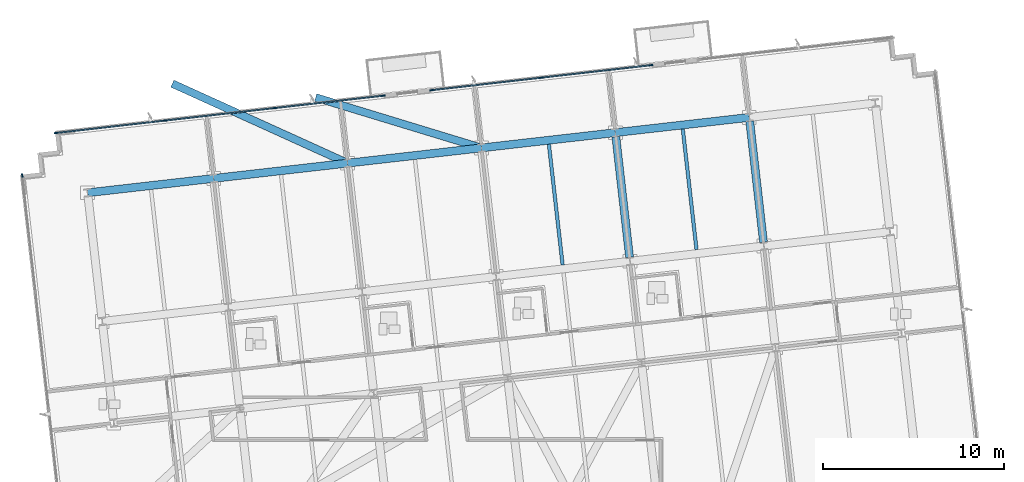
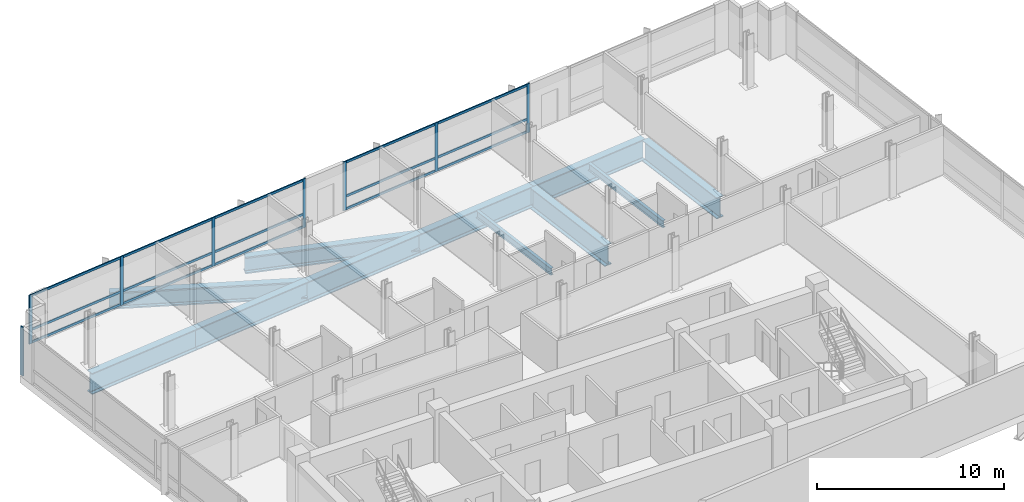
# One storey, part 5 of 15: 23 members, 11 beams, 3 elements without a shape of their own.
"""IFC4 building model written with IfcOpenShell, lengths in metres."""

from ifc_helpers import new_model, si_unit, direction, frame, origin, origin_2d, place, context, subcontext, project, spatial, rectangle, i_section, extrude, material, material_profile, profile_set, type_object, element, aggregate, save


model = new_model("IFC4")

# Units and contexts
model_context = context("Model", 3, precision=1e-05, world=origin(), true_north=direction((0.0, 1.0)))
body_context = subcontext(model_context, "Body", "Model", "MODEL_VIEW")
ifc_project = project(units=[si_unit("LENGTHUNIT", "METRE"), si_unit("AREAUNIT", "SQUARE_METRE"), si_unit("VOLUMEUNIT", "CUBIC_METRE"), si_unit("PLANEANGLEUNIT", "RADIAN"), si_unit("MASSUNIT", "GRAM", prefix="KILO")], contexts=[model_context])

# Site, building, storey
site_placement = place(None, origin())
site = spatial("IfcSite", under=ifc_project, at=site_placement, CompositionType="ELEMENT")
building_placement = place(site_placement, origin())
building = spatial("IfcBuilding", under=site, at=building_placement, Name="Solmavex Isthmus Hotel", CompositionType="ELEMENT")
storey_placement = place(building_placement, frame((0.0, 0.0, 191.699951171875)))
storey = spatial("IfcBuildingStorey", under=building, at=storey_placement, Name="L51", CompositionType="ELEMENT", Elevation=191.699951171875)

# Beams
ifc_material_1 = material(Name="Steel ASTM A992 Grade 50", Category="steel")
ifc_material_profile_1 = material_profile(ifc_material_1, i_section(OverallWidth=0.1904296875, OverallDepth=0.456787109375, WebThickness=0.009033203125, FlangeThickness=0.014404296875, FilletRadius=0.0126953125, at=origin_2d()), Name="W18X50")
ifc_profile_set_1 = profile_set([ifc_material_profile_1], Name="Steel ASTM A992 Grade 50")
beam_type_1 = type_object("IfcBeamType", Name="BM-BJ-W18X50", PredefinedType="JOIST", material=ifc_profile_set_1)
beam_1_placement = place(storey_placement, frame((6.9970703125, 10.23828125, -0.678466796875), z_axis=(-0.113197786533, 0.993572474017, 0.0), x_axis=(-0.993572474017, -0.113197786533, 0.0)))
element("IfcBeam", 1, at=beam_1_placement, inside=storey, type_object=beam_type_1, Name="Secondary Floor Joist L51-J13", PredefinedType="JOIST", context=body_context, shape_type="SweptSolid", body=[
    extrude(i_section(OverallWidth=0.1904296875, OverallDepth=0.456787109375, WebThickness=0.009033203125, FlangeThickness=0.014404296875, FilletRadius=0.0126953125, at=origin_2d()), origin(), (0.0, 0.0, 1.0), 6.7119140625),
])
beam_2_placement = place(storey_placement, frame((14.395263671875, 11.0810546875, -0.678466796875), z_axis=(-0.11319369562, 0.993572940086, 0.0), x_axis=(-0.993572940086, -0.11319369562, 0.0)))
element("IfcBeam", 2, at=beam_2_placement, inside=storey, type_object=beam_type_1, Name="Secondary Floor Joist L51-J17", PredefinedType="JOIST", context=body_context, shape_type="SweptSolid", body=[
    extrude(i_section(OverallWidth=0.1904296875, OverallDepth=0.456787109375, WebThickness=0.009033203125, FlangeThickness=0.014404296875, FilletRadius=0.0126953125, at=origin_2d()), origin(), (0.0, 0.0, 1.0), 6.712158203125),
])
ifc_material_2 = material(Name="Steel ASTM A913 Grade 65", Category="steel")
ifc_material_profile_2 = material_profile(ifc_material_2, i_section(OverallWidth=0.42431640625, OverallDepth=1.09228515625, WebThickness=0.04541015625, FlangeThickness=0.08203125, FilletRadius=0.030517578125, at=origin_2d()), Name="W40X593")
ifc_profile_set_2 = profile_set([ifc_material_profile_2], Name="Steel ASTM A913 Grade 65")
beam_type_2 = type_object("IfcBeamType", Name="BM-TB-W40X397", PredefinedType="BEAM", material=ifc_profile_set_2)
beam_3_placement = place(storey_placement, frame((-14.562744140625, 20.254150390625, -0.99609375), z_axis=(0.910588188586, -0.413314832553, 0.0), x_axis=(0.413314832553, 0.910588188586, 0.0)))
element("IfcBeam", 3, at=beam_3_placement, inside=storey, type_object=beam_type_2, Name="Core Outrigger Strut L50-OTN1", PredefinedType="BEAM", context=body_context, shape_type="SweptSolid", body=[
    extrude(i_section(OverallWidth=0.42431640625, OverallDepth=1.09228515625, WebThickness=0.04541015625, FlangeThickness=0.08203125, FilletRadius=0.030517578125, at=origin_2d()), origin(), (0.0, 0.0, 1.0), 10.628173828125),
])
beam_4_placement = place(storey_placement, frame((-6.643310546875, 19.49169921875, -0.99609375), z_axis=(0.956649473072, -0.291241799321, 0.0), x_axis=(0.291241799321, 0.956649473072, 0.0)))
element("IfcBeam", 4, at=beam_4_placement, inside=storey, type_object=beam_type_2, Name="Core Outrigger Strut L50-OTN2", PredefinedType="BEAM", context=body_context, shape_type="SweptSolid", body=[
    extrude(i_section(OverallWidth=0.42431640625, OverallDepth=1.09228515625, WebThickness=0.04541015625, FlangeThickness=0.08203125, FilletRadius=0.030517578125, at=origin_2d()), origin(), (0.0, 0.0, 1.0), 9.571533203125),
])
ifc_material_3 = material(Name="Steel ASTM A572 Grade 50", Category="steel")
ifc_material_profile_3 = material_profile(ifc_material_3, i_section(OverallWidth=0.43994140625, OverallDepth=1.3798828125, WebThickness=0.030029296875, FlangeThickness=0.054931640625, FilletRadius=0.030517578125, at=origin_2d()), Name="I1380X440")
ifc_profile_set_3 = profile_set([ifc_material_profile_3], Name="Steel ASTM A572 Grade 50")
beam_type_3 = type_object("IfcBeamType", Name="BM-TG-I1380", PredefinedType="BEAM", material=ifc_profile_set_3)
beam_5_placement = place(storey_placement, frame((-19.245849609375, 14.22509765625, -1.139892578125), z_axis=(0.99357359356, 0.113187959519, 0.0), x_axis=(-0.113187959519, 0.99357359356, 0.0)))
element("IfcBeam", 5, at=beam_5_placement, inside=storey, type_object=beam_type_3, Name="Outrigger Collector Girder L51-UG18", PredefinedType="BEAM", context=body_context, shape_type="SweptSolid", body=[
    extrude(i_section(OverallWidth=0.43994140625, OverallDepth=1.3798828125, WebThickness=0.030029296875, FlangeThickness=0.054931640625, FilletRadius=0.030517578125, at=origin_2d()), origin(), (0.0, 0.0, 1.0), 7.0078125),
])
beam_6_placement = place(storey_placement, frame((-12.282958984375, 15.018310546875, -1.139892578125), z_axis=(0.9935703463, 0.113216460607, 0.0), x_axis=(-0.113216460607, 0.9935703463, 0.0)))
element("IfcBeam", 6, at=beam_6_placement, inside=storey, type_object=beam_type_3, Name="Outrigger Collector Girder L51-UG19", PredefinedType="BEAM", context=body_context, shape_type="SweptSolid", body=[
    extrude(i_section(OverallWidth=0.43994140625, OverallDepth=1.3798828125, WebThickness=0.030029296875, FlangeThickness=0.054931640625, FilletRadius=0.030517578125, at=origin_2d()), origin(), (0.0, 0.0, 1.0), 7.446044921875),
])
beam_7_placement = place(storey_placement, frame((-4.884765625, 15.861328125, -1.139892578125), z_axis=(0.993573613989, 0.113187780196, 0.0), x_axis=(-0.113187780196, 0.993573613989, 0.0)))
element("IfcBeam", 7, at=beam_7_placement, inside=storey, type_object=beam_type_3, Name="Outrigger Collector Girder L51-UG20", PredefinedType="BEAM", context=body_context, shape_type="SweptSolid", body=[
    extrude(i_section(OverallWidth=0.43994140625, OverallDepth=1.3798828125, WebThickness=0.030029296875, FlangeThickness=0.054931640625, FilletRadius=0.030517578125, at=origin_2d()), origin(), (0.0, 0.0, 1.0), 7.44580078125),
])
for number, where, z_axis, x_axis, name in (
    (8, (2.51318359375, 16.7041015625, -1.139892578125), (0.9935703463, 0.113216460607, 0.0), (-0.113216460607, 0.9935703463, 0.0), "Outrigger Collector Girder L51-UG21"),
    (9, (9.911376953125, 17.547119140625, -1.139892578125), (0.9935703463, 0.113216460607, 0.0), (-0.113216460607, 0.9935703463, 0.0), "Outrigger Collector Girder L51-UG22"),
):
    element("IfcBeam", number, at=place(storey_placement, frame(where, z_axis=z_axis, x_axis=x_axis)), inside=storey, type_object=beam_type_3, Name=name, PredefinedType="BEAM", context=body_context, shape_type="SweptSolid", body=[
        extrude(i_section(OverallWidth=0.43994140625, OverallDepth=1.3798828125, WebThickness=0.030029296875, FlangeThickness=0.054931640625, FilletRadius=0.030517578125, at=origin_2d()), origin(), (0.0, 0.0, 1.0), 7.446044921875),
    ])
beam_8_placement = place(storey_placement, frame((10.696044921875, 10.65966796875, -1.139892578125), z_axis=(-0.11319369562, 0.993572940086, 0.0), x_axis=(-0.993572940086, -0.11319369562, 0.0)))
element("IfcBeam", 10, at=beam_8_placement, inside=storey, type_object=beam_type_3, Name="Outrigger Collector Beam L51-VG39", PredefinedType="BEAM", context=body_context, shape_type="SweptSolid", body=[
    extrude(i_section(OverallWidth=0.43994140625, OverallDepth=1.3798828125, WebThickness=0.030029296875, FlangeThickness=0.054931640625, FilletRadius=0.030517578125, at=origin_2d()), origin(), (0.0, 0.0, 1.0), 6.712158203125),
])
beam_9_placement = place(storey_placement, frame((18.09423828125, 11.502685546875, -1.139892578125), z_axis=(-0.113197786533, 0.993572474017, 0.0), x_axis=(-0.993572474017, -0.113197786533, 0.0)))
element("IfcBeam", 11, at=beam_9_placement, inside=storey, type_object=beam_type_3, Name="Outrigger Collector Beam L51-VG42", PredefinedType="BEAM", context=body_context, shape_type="SweptSolid", body=[
    extrude(i_section(OverallWidth=0.43994140625, OverallDepth=1.3798828125, WebThickness=0.030029296875, FlangeThickness=0.054931640625, FilletRadius=0.030517578125, at=origin_2d()), origin(), (0.0, 0.0, 1.0), 6.7119140625),
])

# Curtain wall, members
ifc_material_4 = material(Name="Aluminium alloy 6063-T6", Category="aluminium")
curtain_wall_type = type_object("IfcCurtainWallType", Name="CW-SYS-04", PredefinedType="NOTDEFINED", material=ifc_material_4)
curtain_wall_1_placement = place(storey_placement, origin())
curtain_wall_1 = element("IfcCurtainWall", 12, at=curtain_wall_1_placement, inside=storey, type_object=curtain_wall_type, Name="Stick Curtain Wall CWL-L51-N1", PredefinedType="NOTDEFINED")
ifc_material_profile_4 = material_profile(ifc_material_4, rectangle(XDim=0.074951171875, YDim=0.199951171875, at=origin_2d()), Name="CWM-75X200")
ifc_profile_set_4 = profile_set([ifc_material_profile_4], Name="Aluminium alloy 6063-T6")
member_type_1 = type_object("IfcMemberType", Name="CW-SYS-04-MUL", PredefinedType="MULLION", material=ifc_profile_set_4)
member_1_placement = place(storey_placement, frame((-20.99365234375, 17.528564453125, 0.0), z_axis=(0.0, 0.0, 1.0), x_axis=(-0.113202953513, 0.993571885329, 0.0)))
member_1 = element("IfcMember", 13, at=member_1_placement, type_object=member_type_1, Name="CW-04 mullion 1", PredefinedType="MULLION", context=body_context, shape_type="SweptSolid", body=[
    extrude(rectangle(XDim=0.074951171875, YDim=0.199951171875, at=origin_2d()), origin(), (0.0, 0.0, 1.0), 3.18994140625),
])
member_2_placement = place(storey_placement, frame((-14.977783203125, 18.2138671875, 0.0), z_axis=(0.0, 0.0, 1.0), x_axis=(-0.113202953513, 0.993571885329, 0.0)))
member_2 = element("IfcMember", 14, at=member_2_placement, type_object=member_type_1, Name="CW-04 mullion 2", PredefinedType="MULLION", context=body_context, shape_type="SweptSolid", body=[
    extrude(rectangle(XDim=0.074951171875, YDim=0.199951171875, at=origin_2d()), origin(), (0.0, 0.0, 1.0), 3.18994140625),
])
member_3_placement = place(storey_placement, frame((-8.924560546875, 18.903564453125, 0.0), z_axis=(0.0, 0.0, 1.0), x_axis=(-0.113202953513, 0.993571885329, 0.0)))
member_3 = element("IfcMember", 15, at=member_3_placement, type_object=member_type_1, Name="CW-04 mullion 3", PredefinedType="MULLION", context=body_context, shape_type="SweptSolid", body=[
    extrude(rectangle(XDim=0.074951171875, YDim=0.199951171875, at=origin_2d()), origin(), (0.0, 0.0, 1.0), 3.18994140625),
])
member_4_placement = place(storey_placement, frame((-2.90869140625, 19.5888671875, 0.0), z_axis=(0.0, 0.0, 1.0), x_axis=(-0.113202953513, 0.993571885329, 0.0)))
member_4 = element("IfcMember", 16, at=member_4_placement, type_object=member_type_1, Name="CW-04 mullion 4", PredefinedType="MULLION", context=body_context, shape_type="SweptSolid", body=[
    extrude(rectangle(XDim=0.074951171875, YDim=0.199951171875, at=origin_2d()), origin(), (0.0, 0.0, 1.0), 3.18994140625),
])

curtain_wall_2_placement = place(storey_placement, origin())
curtain_wall_2 = element("IfcCurtainWall", 17, at=curtain_wall_2_placement, inside=storey, type_object=curtain_wall_type, Name="Stick Curtain Wall CWL-L51-N2", PredefinedType="NOTDEFINED")
member_5_placement = place(storey_placement, frame((-0.250732421875, 19.891845703125, 0.0), z_axis=(0.0, 0.0, 1.0), x_axis=(-0.113202856801, 0.993571896348, 0.0)))
member_5 = element("IfcMember", 18, at=member_5_placement, type_object=member_type_1, Name="CW-04 mullion 1", PredefinedType="MULLION", context=body_context, shape_type="SweptSolid", body=[
    extrude(rectangle(XDim=0.074951171875, YDim=0.199951171875, at=origin_2d()), origin(), (0.0, 0.0, 1.0), 3.18994140625),
])
member_6_placement = place(storey_placement, frame((5.818359375, 20.583251953125, 0.0), z_axis=(0.0, 0.0, 1.0), x_axis=(-0.113202856801, 0.993571896348, 0.0)))
member_6 = element("IfcMember", 19, at=member_6_placement, type_object=member_type_1, Name="CW-04 mullion 2", PredefinedType="MULLION", context=body_context, shape_type="SweptSolid", body=[
    extrude(rectangle(XDim=0.074951171875, YDim=0.199951171875, at=origin_2d()), origin(), (0.0, 0.0, 1.0), 3.18994140625),
])
member_7_placement = place(storey_placement, frame((11.8876953125, 21.27490234375, 0.0), z_axis=(0.0, 0.0, 1.0), x_axis=(-0.113202856801, 0.993571896348, 0.0)))
member_7 = element("IfcMember", 20, at=member_7_placement, type_object=member_type_1, Name="CW-04 mullion 3", PredefinedType="MULLION", context=body_context, shape_type="SweptSolid", body=[
    extrude(rectangle(XDim=0.074951171875, YDim=0.199951171875, at=origin_2d()), origin(), (0.0, 0.0, 1.0), 3.18994140625),
])

# Curtain wall, member
curtain_wall_3_placement = place(storey_placement, origin())
curtain_wall_3 = element("IfcCurtainWall", 21, at=curtain_wall_3_placement, inside=storey, type_object=curtain_wall_type, Name="Stick Curtain Wall CWL-L51-W1", PredefinedType="NOTDEFINED")
member_8_placement = place(storey_placement, frame((-22.85791015625, 15.184814453125, 0.0), z_axis=(0.0, 0.0, 1.0), x_axis=(-0.993571836648, -0.11320338078, 0.0)))
member_8 = element("IfcMember", 22, at=member_8_placement, type_object=member_type_1, Name="CW-04 mullion 6", PredefinedType="MULLION", context=body_context, shape_type="SweptSolid", body=[
    extrude(rectangle(XDim=0.074951171875, YDim=0.199951171875, at=origin_2d()), origin(), (0.0, 0.0, 1.0), 3.18994140625),
])
aggregate(curtain_wall_3, [member_8])

# Member
ifc_material_profile_5 = material_profile(ifc_material_4, rectangle(XDim=0.074951171875, YDim=0.14990234375, at=origin_2d()), Name="CWT-75X150")
ifc_profile_set_5 = profile_set([ifc_material_profile_5], Name="Aluminium alloy 6063-T6")
member_type_2 = type_object("IfcMemberType", Name="CW-SYS-04-TRN", PredefinedType="USERDEFINED", material=ifc_profile_set_5)
member_9_placement = place(storey_placement, frame((-20.956298828125, 17.53271484375, 0.074951171875), z_axis=(0.993570647741, 0.113213815179, 0.0), x_axis=(-0.113213815179, 0.993570647741, 0.0)))
member_9 = element("IfcMember", 23, at=member_9_placement, type_object=member_type_2, Name="CW-04 transom 1.1", ObjectType="TRANSOM", PredefinedType="USERDEFINED", context=body_context, shape_type="SweptSolid", body=[
    extrude(rectangle(XDim=0.074951171875, YDim=0.14990234375, at=origin_2d()), origin(), (0.0, 0.0, 1.0), 5.979736328125),
])

member_10_placement = place(storey_placement, frame((-20.956298828125, 17.53271484375, 0.900146484375), z_axis=(0.993570647741, 0.113213815179, 0.0), x_axis=(-0.113213815179, 0.993570647741, 0.0)))
member_10 = element("IfcMember", 24, at=member_10_placement, type_object=member_type_2, Name="CW-04 transom 1.2", ObjectType="TRANSOM", PredefinedType="USERDEFINED", context=body_context, shape_type="SweptSolid", body=[
    extrude(rectangle(XDim=0.074951171875, YDim=0.14990234375, at=origin_2d()), origin(), (0.0, 0.0, 1.0), 5.979736328125),
])

member_11_placement = place(storey_placement, frame((-20.956298828125, 17.53271484375, 3.114990234375), z_axis=(0.993570647741, 0.113213815179, 0.0), x_axis=(-0.113213815179, 0.993570647741, 0.0)))
member_11 = element("IfcMember", 25, at=member_11_placement, type_object=member_type_2, Name="CW-04 transom 1.3", ObjectType="TRANSOM", PredefinedType="USERDEFINED", context=body_context, shape_type="SweptSolid", body=[
    extrude(rectangle(XDim=0.074951171875, YDim=0.14990234375, at=origin_2d()), origin(), (0.0, 0.0, 1.0), 5.979736328125),
])

member_12_placement = place(storey_placement, frame((-14.9404296875, 18.218017578125, 0.074951171875), z_axis=(0.993567543212, 0.113241057379, 0.0), x_axis=(-0.113241057379, 0.993567543212, 0.0)))
member_12 = element("IfcMember", 26, at=member_12_placement, type_object=member_type_2, Name="CW-04 transom 2.1", ObjectType="TRANSOM", PredefinedType="USERDEFINED", context=body_context, shape_type="SweptSolid", body=[
    extrude(rectangle(XDim=0.074951171875, YDim=0.14990234375, at=origin_2d()), origin(), (0.0, 0.0, 1.0), 6.017333984375),
])

member_13_placement = place(storey_placement, frame((-14.9404296875, 18.218017578125, 0.900146484375), z_axis=(0.993567543212, 0.113241057379, 0.0), x_axis=(-0.113241057379, 0.993567543212, 0.0)))
member_13 = element("IfcMember", 27, at=member_13_placement, type_object=member_type_2, Name="CW-04 transom 2.2", ObjectType="TRANSOM", PredefinedType="USERDEFINED", context=body_context, shape_type="SweptSolid", body=[
    extrude(rectangle(XDim=0.074951171875, YDim=0.14990234375, at=origin_2d()), origin(), (0.0, 0.0, 1.0), 6.017333984375),
])

member_14_placement = place(storey_placement, frame((-14.9404296875, 18.218017578125, 3.114990234375), z_axis=(0.993567543212, 0.113241057379, 0.0), x_axis=(-0.113241057379, 0.993567543212, 0.0)))
member_14 = element("IfcMember", 28, at=member_14_placement, type_object=member_type_2, Name="CW-04 transom 2.3", ObjectType="TRANSOM", PredefinedType="USERDEFINED", context=body_context, shape_type="SweptSolid", body=[
    extrude(rectangle(XDim=0.074951171875, YDim=0.14990234375, at=origin_2d()), origin(), (0.0, 0.0, 1.0), 6.017333984375),
])

member_15_placement = place(storey_placement, frame((-8.88720703125, 18.90771484375, 0.074951171875), z_axis=(0.993570647741, 0.113213815179, 0.0), x_axis=(-0.113213815179, 0.993570647741, 0.0)))
member_15 = element("IfcMember", 29, at=member_15_placement, type_object=member_type_2, Name="CW-04 transom 3.1", ObjectType="TRANSOM", PredefinedType="USERDEFINED", context=body_context, shape_type="SweptSolid", body=[
    extrude(rectangle(XDim=0.074951171875, YDim=0.14990234375, at=origin_2d()), origin(), (0.0, 0.0, 1.0), 5.979736328125),
])

member_16_placement = place(storey_placement, frame((-8.88720703125, 18.90771484375, 0.900146484375), z_axis=(0.993570647741, 0.113213815179, 0.0), x_axis=(-0.113213815179, 0.993570647741, 0.0)))
member_16 = element("IfcMember", 30, at=member_16_placement, type_object=member_type_2, Name="CW-04 transom 3.2", ObjectType="TRANSOM", PredefinedType="USERDEFINED", context=body_context, shape_type="SweptSolid", body=[
    extrude(rectangle(XDim=0.074951171875, YDim=0.14990234375, at=origin_2d()), origin(), (0.0, 0.0, 1.0), 5.979736328125),
])

member_17_placement = place(storey_placement, frame((-8.88720703125, 18.90771484375, 3.114990234375), z_axis=(0.993570647741, 0.113213815179, 0.0), x_axis=(-0.113213815179, 0.993570647741, 0.0)))
member_17 = element("IfcMember", 31, at=member_17_placement, type_object=member_type_2, Name="CW-04 transom 3.3", ObjectType="TRANSOM", PredefinedType="USERDEFINED", context=body_context, shape_type="SweptSolid", body=[
    extrude(rectangle(XDim=0.074951171875, YDim=0.14990234375, at=origin_2d()), origin(), (0.0, 0.0, 1.0), 5.979736328125),
])

aggregate(curtain_wall_1, [member_1, member_2, member_3, member_4, member_9, member_10, member_11, member_12, member_13, member_14, member_15, member_16, member_17])

member_18_placement = place(storey_placement, frame((-0.213623046875, 19.89599609375, 0.074951171875), z_axis=(0.993570439577, 0.113215642025, 0.0), x_axis=(-0.113215642025, 0.993570439577, 0.0)))
member_18 = element("IfcMember", 32, at=member_18_placement, type_object=member_type_2, Name="CW-04 transom 1.1", ObjectType="TRANSOM", PredefinedType="USERDEFINED", context=body_context, shape_type="SweptSolid", body=[
    extrude(rectangle(XDim=0.074951171875, YDim=0.14990234375, at=origin_2d()), origin(), (0.0, 0.0, 1.0), 6.03369140625),
])

member_19_placement = place(storey_placement, frame((-0.213623046875, 19.89599609375, 0.900146484375), z_axis=(0.993570439577, 0.113215642025, 0.0), x_axis=(-0.113215642025, 0.993570439577, 0.0)))
member_19 = element("IfcMember", 33, at=member_19_placement, type_object=member_type_2, Name="CW-04 transom 1.2", ObjectType="TRANSOM", PredefinedType="USERDEFINED", context=body_context, shape_type="SweptSolid", body=[
    extrude(rectangle(XDim=0.074951171875, YDim=0.14990234375, at=origin_2d()), origin(), (0.0, 0.0, 1.0), 6.03369140625),
])

member_20_placement = place(storey_placement, frame((-0.213623046875, 19.89599609375, 3.114990234375), z_axis=(0.993570439577, 0.113215642025, 0.0), x_axis=(-0.113215642025, 0.993570439577, 0.0)))
member_20 = element("IfcMember", 34, at=member_20_placement, type_object=member_type_2, Name="CW-04 transom 1.3", ObjectType="TRANSOM", PredefinedType="USERDEFINED", context=body_context, shape_type="SweptSolid", body=[
    extrude(rectangle(XDim=0.074951171875, YDim=0.14990234375, at=origin_2d()), origin(), (0.0, 0.0, 1.0), 6.03369140625),
])

member_21_placement = place(storey_placement, frame((5.855712890625, 20.587646484375, 0.074951171875), z_axis=(0.993574472077, 0.113180247552, 0.0), x_axis=(-0.113180247552, 0.993574472077, 0.0)))
member_21 = element("IfcMember", 35, at=member_21_placement, type_object=member_type_2, Name="CW-04 transom 2.1", ObjectType="TRANSOM", PredefinedType="USERDEFINED", context=body_context, shape_type="SweptSolid", body=[
    extrude(rectangle(XDim=0.074951171875, YDim=0.14990234375, at=origin_2d()), origin(), (0.0, 0.0, 1.0), 6.033447265625),
])

member_22_placement = place(storey_placement, frame((5.855712890625, 20.587646484375, 0.900146484375), z_axis=(0.993574472077, 0.113180247552, 0.0), x_axis=(-0.113180247552, 0.993574472077, 0.0)))
member_22 = element("IfcMember", 36, at=member_22_placement, type_object=member_type_2, Name="CW-04 transom 2.2", ObjectType="TRANSOM", PredefinedType="USERDEFINED", context=body_context, shape_type="SweptSolid", body=[
    extrude(rectangle(XDim=0.074951171875, YDim=0.14990234375, at=origin_2d()), origin(), (0.0, 0.0, 1.0), 6.033447265625),
])

member_23_placement = place(storey_placement, frame((5.855712890625, 20.587646484375, 3.114990234375), z_axis=(0.993574472077, 0.113180247552, 0.0), x_axis=(-0.113180247552, 0.993574472077, 0.0)))
member_23 = element("IfcMember", 37, at=member_23_placement, type_object=member_type_2, Name="CW-04 transom 2.3", ObjectType="TRANSOM", PredefinedType="USERDEFINED", context=body_context, shape_type="SweptSolid", body=[
    extrude(rectangle(XDim=0.074951171875, YDim=0.14990234375, at=origin_2d()), origin(), (0.0, 0.0, 1.0), 6.033447265625),
])

aggregate(curtain_wall_2, [member_5, member_6, member_7, member_18, member_19, member_20, member_21, member_22, member_23])

save(model, "model.ifc")
